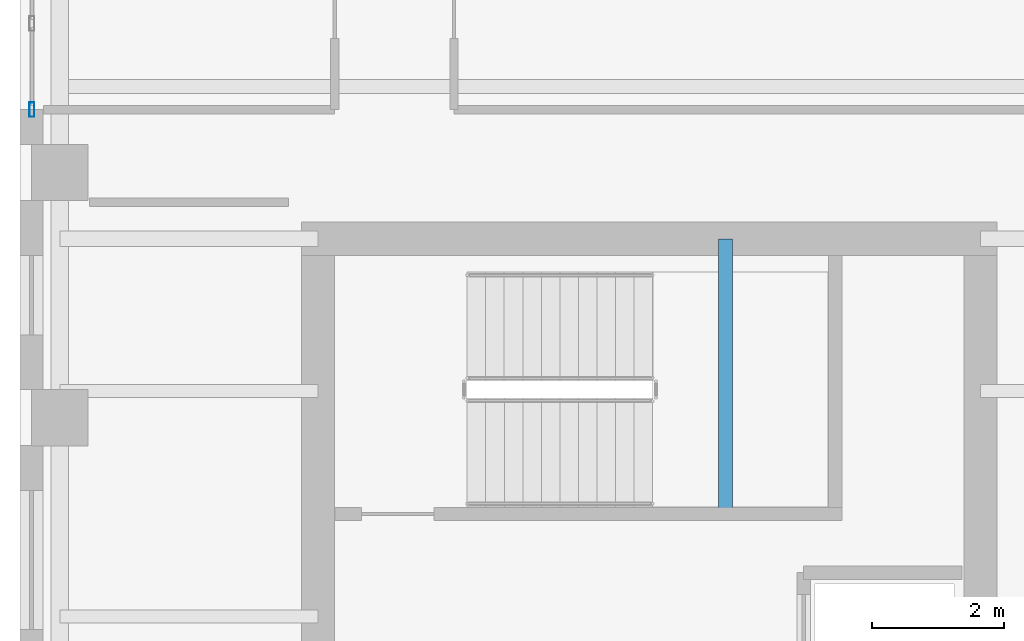
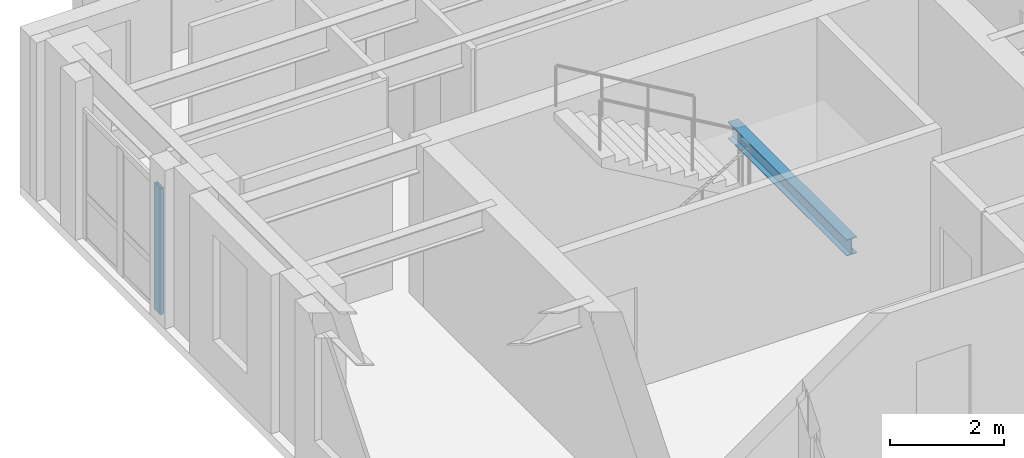
# One storey, part 2 of 10: 1 beam, 1 member, 1 element without a shape of its own.
"""IFC4 building model written with IfcOpenShell, lengths in metres."""

from ifc_helpers import new_model, si_unit, direction, frame, origin, origin_2d, place, context, subcontext, project, spatial, hollow_rectangle, i_section, extrude, source, transform, mapped, material, layer, layer_set, material_profile, profile_set, type_object, element, aggregate, save


model = new_model("IFC4")

# Units and contexts
model_context = context("Model", 3, precision=1e-05, world=origin(), true_north=direction((0.0, 1.0)))
body_context = subcontext(model_context, "Body", "Model", "MODEL_VIEW")
ifc_project = project(units=[si_unit("LENGTHUNIT", "METRE"), si_unit("AREAUNIT", "SQUARE_METRE"), si_unit("VOLUMEUNIT", "CUBIC_METRE"), si_unit("PLANEANGLEUNIT", "RADIAN"), si_unit("MASSUNIT", "GRAM", prefix="KILO")], contexts=[model_context])

# Site, building, storey
site_placement = place(None, origin())
site = spatial("IfcSite", under=ifc_project, at=site_placement, CompositionType="ELEMENT")
building_placement = place(site_placement, origin())
building = spatial("IfcBuilding", under=site, at=building_placement, Name="Kharzan Plaza Tower", CompositionType="ELEMENT")
storey_placement = place(building_placement, frame((0.0, 0.0, 270.0)))
storey = spatial("IfcBuildingStorey", under=building, at=storey_placement, Name="L73", CompositionType="ELEMENT", Elevation=270.0)

# Beam
ifc_material_1 = material(Name="Steel S355", Category="steel")
ifc_material_profile_1 = material_profile(ifc_material_1, i_section(OverallWidth=0.205078125, OverallDepth=0.35400390625, WebThickness=0.009521484375, FlangeThickness=0.016845703125, at=origin_2d()), Name="W360x79")
ifc_profile_set_1 = profile_set([ifc_material_profile_1], Name="Steel S355")
beam_type = type_object("IfcBeamType", Name="BM-LNT360", PredefinedType="LINTEL", material=ifc_profile_set_1)
shared_shape_1 = source(origin(), body_context, "Body", "SweptSolid", [
    extrude(i_section(OverallWidth=0.205078125, OverallDepth=0.35400390625, WebThickness=0.009521484375, FlangeThickness=0.016845703125, at=origin_2d()), origin(), (0.0, 0.0, 1.0), 4.155029296875),
])
beam_placement = place(storey_placement, frame((10.64990234375, 25.344970703125, 1.423095703125), z_axis=(0.0, 1.0, 0.0), x_axis=(-1.0, 0.0, 0.0)))
element("IfcBeam", 1, at=beam_placement, inside=storey, type_object=beam_type, Name="L73 Stair ST-2 Half-Landing Beam", PredefinedType="LINTEL", context=body_context, shape_type="MappedRepresentation", body=[
    mapped(shared_shape_1, transform((0.0, 0.0, 0.0), x_axis=(1.0, 0.0, 0.0), y_axis=(0.0, 1.0, 0.0), z_axis=(0.0, 0.0, 1.0))),
])

# Curtain wall, member
ifc_material_2 = material(Name="Unitised Bronze-Anodized Aluminium and Low-E Glass", Category="aluminium")
ifc_layer = layer(ifc_material_2, 0.199951171875)
ifc_layer_set = layer_set([ifc_layer], Name="Unitised Bronze-Anodized Aluminium and Low-E Glass")
curtain_wall_type = type_object("IfcCurtainWallType", Name="CW-EXEC-5", PredefinedType="NOTDEFINED", material=ifc_layer_set)
curtain_wall_placement = place(storey_placement, origin())
curtain_wall = element("IfcCurtainWall", 2, at=curtain_wall_placement, inside=storey, type_object=curtain_wall_type, Name="L73 Upper Executive Setback Panoramic Curtain Wall", PredefinedType="NOTDEFINED")
ifc_material_3 = material(Name="Anodized Bronze Aluminium", Category="aluminium")
ifc_material_profile_2 = material_profile(ifc_material_3, hollow_rectangle(XDim=0.074951171875, YDim=0.219970703125, WallThickness=0.00390625, at=origin_2d()), Name="ALU-M220x75x4")
ifc_profile_set_2 = profile_set([ifc_material_profile_2], Name="Anodized Bronze Aluminium")
member_type = type_object("IfcMemberType", Name="MEM-CW-MUL200", PredefinedType="MULLION", material=ifc_profile_set_2)
shared_shape_2 = source(origin(), body_context, "Body", "SweptSolid", [
    extrude(hollow_rectangle(XDim=0.074951171875, YDim=0.219970703125, WallThickness=0.00390625, at=origin_2d()), origin(), (0.0, 0.0, 1.0), 2.699951171875),
])
member_placement = place(storey_placement, frame((0.179931640625, 31.449951171875, 0.0), z_axis=(0.0, 0.0, 1.0), x_axis=(1.0, 0.0, 0.0)))
member = element("IfcMember", 3, at=member_placement, type_object=member_type, Name="L73 Curtain-Wall Mullion 00", PredefinedType="MULLION", context=body_context, shape_type="MappedRepresentation", body=[
    mapped(shared_shape_2, transform((0.0, 0.0, 0.0), x_axis=(1.0, 0.0, 0.0), y_axis=(0.0, 1.0, 0.0), z_axis=(0.0, 0.0, 1.0))),
])
aggregate(curtain_wall, [member])

save(model, "model.ifc")
